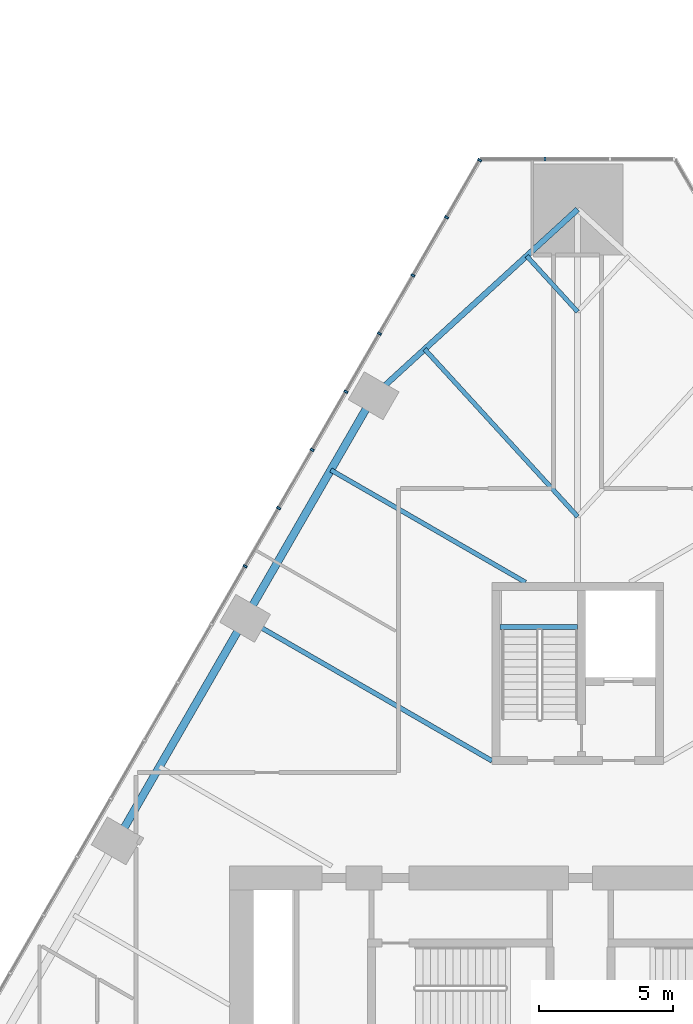
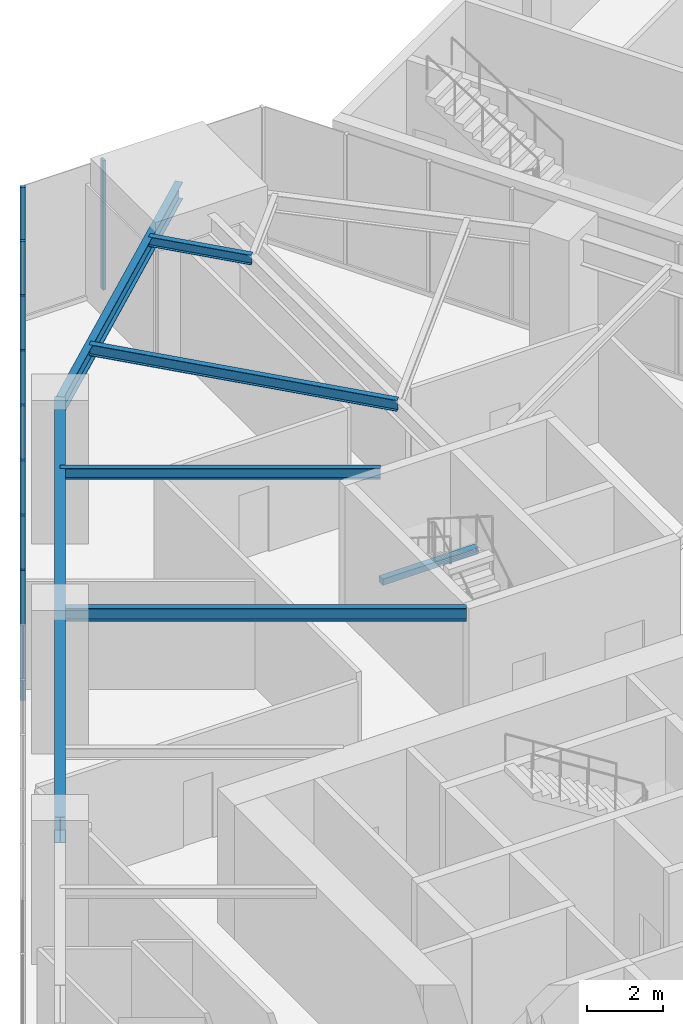
# One storey, part 11 of 29: 9 members, 7 beams, 2 elements without a shape of their own.
"""IFC4 building model written with IfcOpenShell, lengths in metres."""

from ifc_helpers import new_model, si_unit, direction, frame, origin, origin_2d, place, context, subcontext, project, spatial, rectangle, i_section, extrude, material, layer, layer_set, material_profile, profile_set, type_object, element, aggregate, save


model = new_model("IFC4")

# Units and contexts
model_context = context("Model", 3, precision=1e-05, world=origin(), true_north=direction((0.0, 1.0)))
body_context = subcontext(model_context, "Body", "Model", "MODEL_VIEW")
ifc_project = project(units=[si_unit("LENGTHUNIT", "METRE"), si_unit("AREAUNIT", "SQUARE_METRE"), si_unit("VOLUMEUNIT", "CUBIC_METRE"), si_unit("PLANEANGLEUNIT", "RADIAN"), si_unit("MASSUNIT", "GRAM", prefix="KILO")], contexts=[model_context])

# Site, building, storey
site_placement = place(None, origin())
site = spatial("IfcSite", under=ifc_project, at=site_placement, CompositionType="ELEMENT")
building_placement = place(site_placement, origin())
building = spatial("IfcBuilding", under=site, at=building_placement, Name="Firuza Gate Tower and Library", CompositionType="ELEMENT")
storey_placement = place(building_placement, frame((0.0, 0.0, 8.0)))
storey = spatial("IfcBuildingStorey", under=building, at=storey_placement, Name="L01", CompositionType="ELEMENT", Elevation=8.0)

# Curtain wall, member
ifc_material_1 = material(Name="Aluminium 6063-T6", Category="aluminium")
ifc_layer = layer(ifc_material_1, 0.14990234375)
ifc_layer_set = layer_set([ifc_layer], Name="Stick curtain wall, podium")
curtain_wall_type = type_object("IfcCurtainWallType", Name="Stick curtain wall, podium", PredefinedType="NOTDEFINED", material=ifc_layer_set)
placement = place(storey_placement, origin())
curtain_wall_1 = element("IfcCurtainWall", 1, at=placement, inside=storey, type_object=curtain_wall_type, Name="CW5 L01 N", PredefinedType="NOTDEFINED")
ifc_material_2 = material(Name="Aluminium 6063-T6", Category="aluminium")
ifc_material_profile_1 = material_profile(ifc_material_2, rectangle(XDim=0.14990234375, YDim=0.080078125, at=origin_2d()))
ifc_profile_set_1 = profile_set([ifc_material_profile_1], Name="Aluminium 6063-T6")
member_type = type_object("IfcMemberType", Name="Curtain wall mullion 80x150", PredefinedType="MULLION", material=ifc_profile_set_1)
member_1_placement = place(storey_placement, frame((73.78564453125, 110.408935546875, 0.14990234375), z_axis=(0.0, 0.0, 1.0), x_axis=(0.0, -1.0, 0.0)))
member_1 = element("IfcMember", 2, at=member_1_placement, type_object=member_type, Name="Mullion", PredefinedType="MULLION", context=body_context, shape_type="SweptSolid", body=[
    extrude(rectangle(XDim=0.14990234375, YDim=0.080078125, at=origin_2d()), origin(), (0.0, 0.0, 1.0), 4.150146484375),
])
aggregate(curtain_wall_1, [member_1])

# Curtain wall, members
curtain_wall_2 = element("IfcCurtainWall", 3, at=placement, inside=storey, type_object=curtain_wall_type, Name="CW5 L01 W", PredefinedType="NOTDEFINED")
member_2_placement = place(storey_placement, frame((71.336669921875, 110.374267578125, 0.14990234375), z_axis=(0.0, 0.0, 1.0), x_axis=(0.866025403784, -0.5, 0.0)))
member_2 = element("IfcMember", 4, at=member_2_placement, type_object=member_type, Name="Mullion", PredefinedType="MULLION", context=body_context, shape_type="SweptSolid", body=[
    extrude(rectangle(XDim=0.14990234375, YDim=0.080078125, at=origin_2d()), origin(), (0.0, 0.0, 1.0), 4.150146484375),
])
member_3_placement = place(storey_placement, frame((70.1025390625, 108.23681640625, 0.14990234375), z_axis=(0.0, 0.0, 1.0), x_axis=(0.866025403784, -0.5, 0.0)))
member_3 = element("IfcMember", 5, at=member_3_placement, type_object=member_type, Name="Mullion", PredefinedType="MULLION", context=body_context, shape_type="SweptSolid", body=[
    extrude(rectangle(XDim=0.14990234375, YDim=0.080078125, at=origin_2d()), origin(), (0.0, 0.0, 1.0), 4.150146484375),
])
member_4_placement = place(storey_placement, frame((68.8486328125, 106.064697265625, 0.14990234375), z_axis=(0.0, 0.0, 1.0), x_axis=(0.866025403784, -0.5, 0.0)))
member_4 = element("IfcMember", 6, at=member_4_placement, type_object=member_type, Name="Mullion", PredefinedType="MULLION", context=body_context, shape_type="SweptSolid", body=[
    extrude(rectangle(XDim=0.14990234375, YDim=0.080078125, at=origin_2d()), origin(), (0.0, 0.0, 1.0), 4.150146484375),
])
member_5_placement = place(storey_placement, frame((67.594482421875, 103.892578125, 0.14990234375), z_axis=(0.0, 0.0, 1.0), x_axis=(0.866025403784, -0.5, 0.0)))
member_5 = element("IfcMember", 7, at=member_5_placement, type_object=member_type, Name="Mullion", PredefinedType="MULLION", context=body_context, shape_type="SweptSolid", body=[
    extrude(rectangle(XDim=0.14990234375, YDim=0.080078125, at=origin_2d()), origin(), (0.0, 0.0, 1.0), 4.150146484375),
])
member_6_placement = place(storey_placement, frame((66.340576171875, 101.720458984375, 0.14990234375), z_axis=(0.0, 0.0, 1.0), x_axis=(0.866025403784, -0.5, 0.0)))
member_6 = element("IfcMember", 8, at=member_6_placement, type_object=member_type, Name="Mullion", PredefinedType="MULLION", context=body_context, shape_type="SweptSolid", body=[
    extrude(rectangle(XDim=0.14990234375, YDim=0.080078125, at=origin_2d()), origin(), (0.0, 0.0, 1.0), 4.150146484375),
])
member_7_placement = place(storey_placement, frame((65.08642578125, 99.54833984375, 0.14990234375), z_axis=(0.0, 0.0, 1.0), x_axis=(0.866025403784, -0.5, 0.0)))
member_7 = element("IfcMember", 9, at=member_7_placement, type_object=member_type, Name="Mullion", PredefinedType="MULLION", context=body_context, shape_type="SweptSolid", body=[
    extrude(rectangle(XDim=0.14990234375, YDim=0.080078125, at=origin_2d()), origin(), (0.0, 0.0, 1.0), 4.150146484375),
])
member_8_placement = place(storey_placement, frame((63.832275390625, 97.376220703125, 0.14990234375), z_axis=(0.0, 0.0, 1.0), x_axis=(0.866025403784, -0.5, 0.0)))
member_8 = element("IfcMember", 10, at=member_8_placement, type_object=member_type, Name="Mullion", PredefinedType="MULLION", context=body_context, shape_type="SweptSolid", body=[
    extrude(rectangle(XDim=0.14990234375, YDim=0.080078125, at=origin_2d()), origin(), (0.0, 0.0, 1.0), 4.150146484375),
])
member_9_placement = place(storey_placement, frame((62.578369140625, 95.2041015625, 0.14990234375), z_axis=(0.0, 0.0, 1.0), x_axis=(0.866025403784, -0.5, 0.0)))
member_9 = element("IfcMember", 11, at=member_9_placement, type_object=member_type, Name="Mullion", PredefinedType="MULLION", context=body_context, shape_type="SweptSolid", body=[
    extrude(rectangle(XDim=0.14990234375, YDim=0.080078125, at=origin_2d()), origin(), (0.0, 0.0, 1.0), 4.150146484375),
])
aggregate(curtain_wall_2, [member_2, member_3, member_4, member_5, member_6, member_7, member_8, member_9])

# Beams
ifc_material_3 = material(Name="Concrete C35/45", Category="concrete")
ifc_material_profile_2 = material_profile(ifc_material_3, rectangle(XDim=0.199951171875, YDim=0.199951171875, at=origin_2d()))
ifc_profile_set_2 = profile_set([ifc_material_profile_2], Name="Concrete C35/45")
beam_type_1 = type_object("IfcBeamType", Name="Stair landing bearer 200x200", PredefinedType="BEAM", material=ifc_profile_set_2)
beam_1_placement = place(storey_placement, frame((75.0, 92.929931640625, 2.0), z_axis=(-1.0, 0.0, 0.0), x_axis=(0.0, -1.0, 0.0)))
element("IfcBeam", 12, at=beam_1_placement, inside=storey, type_object=beam_type_1, Name="Landing bearer L01 stair 3", PredefinedType="BEAM", context=body_context, shape_type="SweptSolid", body=[
    extrude(rectangle(XDim=0.199951171875, YDim=0.199951171875, at=origin_2d()), origin(), (0.0, 0.0, 1.0), 2.89990234375),
])
ifc_material_4 = material(Name="Steel S355", Category="steel")
ifc_material_profile_3 = material_profile(ifc_material_4, i_section(OverallWidth=0.1650390625, OverallDepth=0.31005859375, WebThickness=0.005859375, FlangeThickness=0.009765625, at=origin_2d()))
ifc_profile_set_3 = profile_set([ifc_material_profile_3], Name="Steel S355")
beam_type_2 = type_object("IfcBeamType", Name="W310x39 Floor beam", PredefinedType="JOIST", material=ifc_profile_set_3)
beam_2_placement = place(storey_placement, frame((73.094970703125, 106.79296875, 4.14501953125), z_axis=(0.674533736892, -0.738244023203, 0.0), x_axis=(0.738244023203, 0.674533736892, 0.0)))
element("IfcBeam", 13, at=beam_2_placement, inside=storey, type_object=beam_type_2, Name="Floor beam L01 s90", PredefinedType="JOIST", context=body_context, shape_type="SweptSolid", body=[
    extrude(i_section(OverallWidth=0.1650390625, OverallDepth=0.31005859375, WebThickness=0.005859375, FlangeThickness=0.009765625, at=origin_2d()), origin(), (0.0, 0.0, 1.0), 2.82421875),
])
ifc_material_5 = material(Name="Steel S355", Category="steel")
ifc_material_profile_4 = material_profile(ifc_material_5, i_section(OverallWidth=0.1708984375, OverallDepth=0.35498046875, WebThickness=0.007080078125, FlangeThickness=0.01171875, at=origin_2d()))
ifc_profile_set_4 = profile_set([ifc_material_profile_4], Name="Steel S355")
beam_type_3 = type_object("IfcBeamType", Name="W360x51 Floor beam", PredefinedType="JOIST", material=ifc_profile_set_4)
beam_3_placement = place(storey_placement, frame((69.28466796875, 103.31103515625, 4.12255859375), z_axis=(0.674578139258, -0.7382034503, 0.0), x_axis=(0.7382034503, 0.674578139258, 0.0)))
element("IfcBeam", 14, at=beam_3_placement, inside=storey, type_object=beam_type_3, Name="Floor beam L01 s91", PredefinedType="JOIST", context=body_context, shape_type="SweptSolid", body=[
    extrude(i_section(OverallWidth=0.1708984375, OverallDepth=0.35498046875, WebThickness=0.007080078125, FlangeThickness=0.01171875, at=origin_2d()), origin(), (0.0, 0.0, 1.0), 8.472412109375),
])
beam_4_placement = place(storey_placement, frame((65.779541015625, 98.798828125, 4.12255859375), z_axis=(0.866019517829, -0.500010194636, 0.0), x_axis=(0.500010194636, 0.866019517829, 0.0)))
element("IfcBeam", 15, at=beam_4_placement, inside=storey, type_object=beam_type_3, Name="Floor beam L01 s100", PredefinedType="JOIST", context=body_context, shape_type="SweptSolid", body=[
    extrude(i_section(OverallWidth=0.1708984375, OverallDepth=0.35498046875, WebThickness=0.007080078125, FlangeThickness=0.01171875, at=origin_2d()), origin(), (0.0, 0.0, 1.0), 8.397216796875),
])
ifc_material_6 = material(Name="Steel S355", Category="steel")
ifc_material_profile_5 = material_profile(ifc_material_6, i_section(OverallWidth=0.177978515625, OverallDepth=0.406982421875, WebThickness=0.0078125, FlangeThickness=0.0126953125, at=origin_2d()))
ifc_profile_set_5 = profile_set([ifc_material_profile_5], Name="Steel S355")
beam_type_4 = type_object("IfcBeamType", Name="W410x60 Floor beam", PredefinedType="JOIST", material=ifc_profile_set_5)
beam_5_placement = place(storey_placement, frame((62.579345703125, 93.256103515625, 4.096435546875), z_axis=(0.866029027547, -0.499993723407, 0.0), x_axis=(0.499993723407, 0.866029027547, 0.0)))
element("IfcBeam", 16, at=beam_5_placement, inside=storey, type_object=beam_type_4, Name="Floor beam L01 s101", PredefinedType="JOIST", context=body_context, shape_type="SweptSolid", body=[
    extrude(i_section(OverallWidth=0.177978515625, OverallDepth=0.406982421875, WebThickness=0.0078125, FlangeThickness=0.0126953125, at=origin_2d()), origin(), (0.0, 0.0, 1.0), 10.647216796875),
])
ifc_material_7 = material(Name="Steel S355", Category="steel")
ifc_material_profile_6 = material_profile(ifc_material_7, i_section(OverallWidth=0.212890625, OverallDepth=0.5390625, WebThickness=0.01171875, FlangeThickness=0.018798828125, at=origin_2d()))
ifc_profile_set_6 = profile_set([ifc_material_profile_6], Name="Steel S355")
beam_type_5 = type_object("IfcBeamType", Name="W530x109 Edge beam", PredefinedType="SPANDREL", material=ifc_profile_set_6)
beam_6_placement = place(storey_placement, frame((75.0, 108.533935546875, 4.030517578125), z_axis=(-0.738199730284, -0.674582210118, 0.0), x_axis=(0.674582210118, -0.738199730284, 0.0)))
element("IfcBeam", 17, at=beam_6_placement, inside=storey, type_object=beam_type_5, Name="Edge beam L01 e90", PredefinedType="SPANDREL", context=body_context, shape_type="SweptSolid", body=[
    extrude(i_section(OverallWidth=0.212890625, OverallDepth=0.5390625, WebThickness=0.01171875, FlangeThickness=0.018798828125, at=origin_2d()), origin(), (0.0, 0.0, 1.0), 10.3232421875),
])
ifc_material_8 = material(Name="Steel S355", Category="steel")
ifc_material_profile_7 = material_profile(ifc_material_8, i_section(OverallWidth=0.2919921875, OverallDepth=0.8349609375, WebThickness=0.013916015625, FlangeThickness=0.018798828125, at=origin_2d()))
ifc_profile_set_7 = profile_set([ifc_material_profile_7], Name="Steel S355")
beam_type_6 = type_object("IfcBeamType", Name="W840x176 Edge beam", PredefinedType="SPANDREL", material=ifc_profile_set_7)
beam_7_placement = place(storey_placement, frame((67.37939453125, 101.570068359375, 3.882568359375), z_axis=(-0.499994327668, -0.866028678682, 0.0), x_axis=(0.866028678682, -0.499994327668, 0.0)))
element("IfcBeam", 18, at=beam_7_placement, inside=storey, type_object=beam_type_6, Name="Edge beam L01 e100", PredefinedType="SPANDREL", context=body_context, shape_type="SweptSolid", body=[
    extrude(i_section(OverallWidth=0.2919921875, OverallDepth=0.8349609375, WebThickness=0.013916015625, FlangeThickness=0.018798828125, at=origin_2d()), origin(), (0.0, 0.0, 1.0), 19.199951171875),
])

save(model, "model.ifc")
